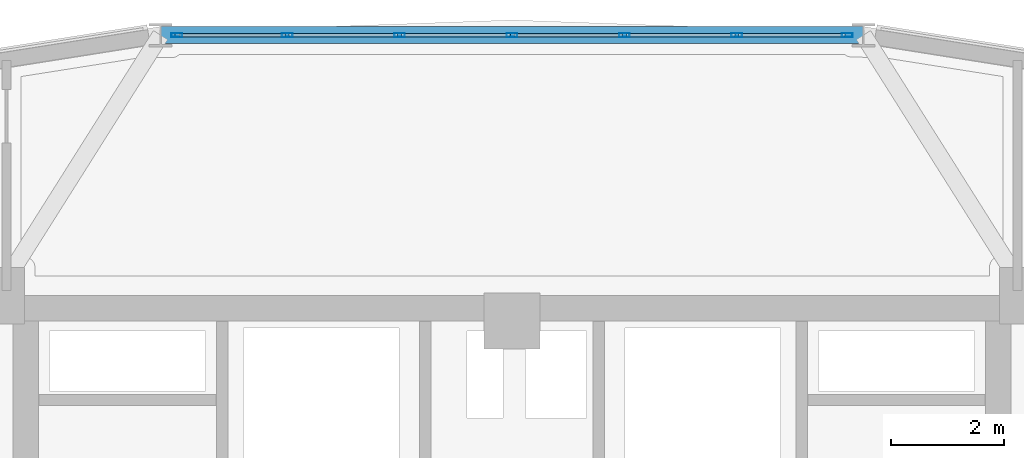
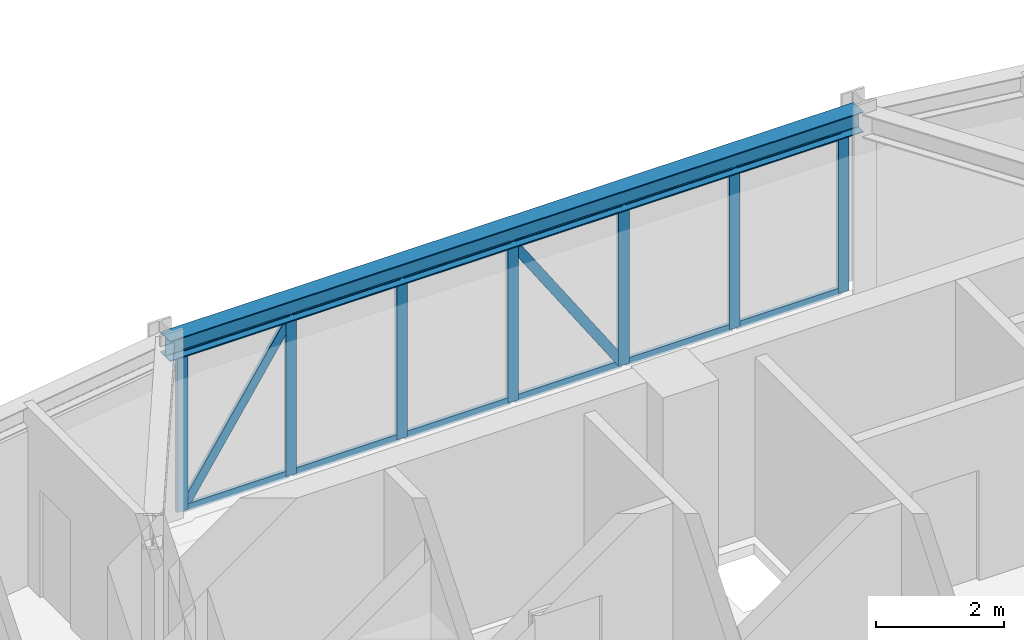
# One storey, part 8 of 14: 21 members, 1 beam, 1 element without a shape of its own.
"""IFC4 building model written with IfcOpenShell, lengths in metres."""

import ifcopenshell
import ifcopenshell.guid

model = None  # the IFC model being written
_history = None  # IfcOwnerHistory: only IFC2X3 demands one
_inside = {}  # id of a spatial element -> (the spatial element, [elements in it])
_under = {}  # id of a project, library or spatial element -> (it, [spatial elements below it])
_declared = {}  # id of a project -> (the project, [libraries it declares])
_typed = {}  # id of a type object -> (the type object, [elements of that type])
_made_of = {}  # id of a material, layer set ... -> (it, [elements and type objects made of it])


def new_model(schema):
    """Start an empty IFC model of exactly this schema.

    Asked for "IFC4X3", IfcOpenShell would pick the latest addendum, in which some entities
    have other attributes; the version numbers below select the first issue.
    IFC2X3 requires an IfcOwnerHistory on every rooted entity: one is made here for all.
    """
    global model, _history
    if schema == "IFC4X3":
        model = ifcopenshell.file(schema_version=(4, 3, 0, 0))
    else:
        model = ifcopenshell.file(schema=schema)
    _inside.clear()
    _under.clear()
    _declared.clear()
    _typed.clear()
    _made_of.clear()
    _history = None
    if model.schema == "IFC2X3":
        org = make("IfcOrganization", Name="unknown")
        user = make(
            "IfcPersonAndOrganization",
            ThePerson=make("IfcPerson", FamilyName="unknown"),
            TheOrganization=org,
        )
        app = make(
            "IfcApplication",
            ApplicationDeveloper=org,
            Version="unknown",
            ApplicationFullName="unknown",
            ApplicationIdentifier="unknown",
        )
        _history = make(
            "IfcOwnerHistory",
            OwningUser=user,
            OwningApplication=app,
            ChangeAction="ADDED",
            CreationDate=0,
        )
    return model


def make(cls, **values):
    """One entity of the class cls with the attributes given. An attribute that is None is left unset."""
    return model.create_entity(
        cls, **{name: value for name, value in values.items() if value is not None}
    )


def rooted(cls, **values):
    """An entity with a GlobalId (a new one), such as an element, a storey or a relation."""
    return make(cls, GlobalId=ifcopenshell.guid.new(), OwnerHistory=_history, **values)


def si_unit(unit_type, name, prefix=None):
    """IfcSIUnit, for example si_unit("LENGTHUNIT", "METRE", prefix="MILLI")."""
    return make("IfcSIUnit", UnitType=unit_type, Prefix=prefix, Name=name)


def derived_unit(unit_type, elements):
    """IfcDerivedUnit: a product of units, each with its exponent."""
    return make(
        "IfcDerivedUnit",
        Elements=[
            make("IfcDerivedUnitElement", Unit=unit, Exponent=power)
            for unit, power in elements
        ],
        UnitType=unit_type,
    )


def assignment(units):
    """IfcUnitAssignment: the units of a project."""
    return None if units is None else make("IfcUnitAssignment", Units=units)


def point(xyz):
    """IfcCartesianPoint."""
    return None if xyz is None else make("IfcCartesianPoint", Coordinates=xyz)


def direction(xyz):
    """IfcDirection."""
    return None if xyz is None else make("IfcDirection", DirectionRatios=xyz)


def frame(location, z_axis=None, x_axis=None):
    """IfcAxis2Placement3D, a coordinate frame: its origin and axes. An axis left out is left unset."""
    return make(
        "IfcAxis2Placement3D",
        Location=point(location),
        Axis=direction(z_axis),
        RefDirection=direction(x_axis),
    )


def frame_2d(location, x_axis=None):
    """IfcAxis2Placement2D, a coordinate frame in the plane: its origin and x axis."""
    return make(
        "IfcAxis2Placement2D", Location=point(location), RefDirection=direction(x_axis)
    )


def origin():
    """The frame at (0, 0, 0) with its axes left unset."""
    return frame((0.0, 0.0, 0.0))


def origin_2d():
    """The frame at (0, 0) in the plane with its x axis left unset."""
    return frame_2d((0.0, 0.0))


def place(relative_to, where):
    """IfcLocalPlacement: puts the frame where relative to a parent placement (None: the world)."""
    return make(
        "IfcLocalPlacement", PlacementRelTo=relative_to, RelativePlacement=where
    )


def context(
    kind, dimensions, precision=None, world=None, true_north=None, identifier=None
):
    """IfcGeometricRepresentationContext, for example the 3D "Model" context."""
    return make(
        "IfcGeometricRepresentationContext",
        ContextIdentifier=identifier,
        ContextType=kind,
        CoordinateSpaceDimension=dimensions,
        Precision=precision,
        WorldCoordinateSystem=world,
        TrueNorth=true_north,
    )


def subcontext(parent, identifier, kind, view, scale=None):
    """IfcGeometricRepresentationSubContext, for example "Body" below "Model"."""
    return make(
        "IfcGeometricRepresentationSubContext",
        ContextIdentifier=identifier,
        ContextType=kind,
        ParentContext=parent,
        TargetScale=scale,
        TargetView=view,
    )


def project(units=None, contexts=None):
    """IfcProject with its units and contexts."""
    return rooted(
        "IfcProject",
        Name="project",
        RepresentationContexts=contexts,
        UnitsInContext=assignment(units),
    )


def spatial(cls, under=None, at=None, **own):
    """A site, building, storey or space (cls), placed at a placement, below another one or the project."""
    s = rooted(cls, ObjectPlacement=at, **own)
    if under is not None:
        _under.setdefault(under.id(), (under, []))[1].append(s)
    return s


def profile(cls, at=None, kind="AREA", **sizes):
    """A parametric profile (cls). Its sizes go by their IFC names, for example OverallWidth=200.0."""
    return make(cls, ProfileType=kind, Position=at, **sizes)


def hollow_rectangle(**sizes):
    """IfcRectangleHollowProfileDef."""
    return profile("IfcRectangleHollowProfileDef", **sizes)


def i_section(**sizes):
    """IfcIShapeProfileDef."""
    return profile("IfcIShapeProfileDef", **sizes)


def extrude(swept, where, along, depth):
    """IfcExtrudedAreaSolid: the profile swept, set in the frame where, extruded along a direction by depth."""
    return make(
        "IfcExtrudedAreaSolid",
        SweptArea=swept,
        Position=where,
        ExtrudedDirection=direction(along),
        Depth=depth,
    )


def shape(context_of_items, identifier, shape_type, items):
    """IfcShapeRepresentation: the items that make up one representation, for example the "Body"."""
    return make(
        "IfcShapeRepresentation",
        ContextOfItems=context_of_items,
        RepresentationIdentifier=identifier,
        RepresentationType=shape_type,
        Items=items,
    )


def source(mapping_origin, context_of_items, identifier, shape_type, items):
    """IfcRepresentationMap: a shape defined once, which mapped items show again and again."""
    return make(
        "IfcRepresentationMap",
        MappingOrigin=mapping_origin,
        MappedRepresentation=shape(context_of_items, identifier, shape_type, items),
    )


def transform(
    local_origin,
    x_axis=None,
    y_axis=None,
    z_axis=None,
    scale=None,
    scale2=None,
    scale3=None,
    uniform=True,
):
    """IfcCartesianTransformationOperator3D, or its non-uniform kind. x_axis, y_axis, z_axis: its Axis1, 2, 3."""
    if uniform:
        return make(
            "IfcCartesianTransformationOperator3D",
            Axis1=direction(x_axis),
            Axis2=direction(y_axis),
            LocalOrigin=point(local_origin),
            Scale=scale,
            Axis3=direction(z_axis),
        )
    return make(
        "IfcCartesianTransformationOperator3DnonUniform",
        Axis1=direction(x_axis),
        Axis2=direction(y_axis),
        LocalOrigin=point(local_origin),
        Scale=scale,
        Axis3=direction(z_axis),
        Scale2=scale2,
        Scale3=scale3,
    )


def mapped(mapping_source, mapping_target):
    """IfcMappedItem: shows the shape of a source again, moved by a transform."""
    return make(
        "IfcMappedItem", MappingSource=mapping_source, MappingTarget=mapping_target
    )


def material(Name=None, Category=None):
    """IfcMaterial."""
    return make("IfcMaterial", Name=Name, Category=Category)


def layer(
    of_material, thickness, ventilated=None, Name=None, Category=None, Priority=None
):
    """IfcMaterialLayer: one layer of a wall or slab, of a material (None: an air gap)."""
    return make(
        "IfcMaterialLayer",
        Material=of_material,
        LayerThickness=thickness,
        IsVentilated=ventilated,
        Name=Name,
        Category=Category,
        Priority=Priority,
    )


def layer_set(layers, Name=None):
    """IfcMaterialLayerSet."""
    return make("IfcMaterialLayerSet", MaterialLayers=layers, LayerSetName=Name)


def material_profile(
    of_material, cross_section, Name=None, Category=None, Priority=None
):
    """IfcMaterialProfile: a cross section and its material."""
    return make(
        "IfcMaterialProfile",
        Name=Name,
        Material=of_material,
        Profile=cross_section,
        Priority=Priority,
        Category=Category,
    )


def profile_set(profiles, Name=None, composite=None):
    """IfcMaterialProfileSet."""
    return make(
        "IfcMaterialProfileSet",
        Name=Name,
        MaterialProfiles=profiles,
        CompositeProfile=composite,
    )


def made_of(thing, what):
    """Note that an element or type object is made of a material, layer set ...; save() writes the relation."""
    if what is not None:
        _made_of.setdefault(what.id(), (what, []))[1].append(thing)
    return thing


def type_object(cls, material=None, **own):
    """A type object (cls), such as IfcWallType, which elements share."""
    return made_of(rooted(cls, **own), material)


def element(
    cls,
    number,
    at=None,
    inside=None,
    cuts=None,
    type_object=None,
    material=None,
    context=None,
    identifier="Body",
    shape_type=None,
    held_by="IfcProductDefinitionShape",
    body=None,
    shapes=None,
    **own,
):
    """One element of the class cls, such as IfcWall. Its Tag is "e" and its number.

    at: its placement. inside: the storey or other place that contains it. cuts: it is an
    opening in that element (IfcRelVoidsElement). A single representation is given by context,
    identifier, shape_type and body (its items); several are given by shapes. held_by: the class
    of the entity that holds the representations. save() writes the other relations.
    """
    e = rooted(cls, Tag="e%d" % number, ObjectPlacement=at, **own)
    if body is not None:
        shapes = [shape(context, identifier, shape_type, body)]
    if shapes is not None:
        e.Representation = make(held_by, Representations=shapes)
    if inside is not None:
        _inside.setdefault(inside.id(), (inside, []))[1].append(e)
    if cuts is not None:
        rooted(
            "IfcRelVoidsElement", RelatingBuildingElement=cuts, RelatedOpeningElement=e
        )
    if type_object is not None:
        _typed.setdefault(type_object.id(), (type_object, []))[1].append(e)
    return made_of(e, material)


def aggregate(whole, parts):
    """IfcRelAggregates: a whole, such as a stair, and the parts it consists of."""
    return rooted("IfcRelAggregates", RelatingObject=whole, RelatedObjects=parts)


def save(model, path):
    """Write the relations noted so far, then the file.

    IfcRelAggregates (storeys below a building ...), IfcRelContainedInSpatialStructure (elements
    in a storey), IfcRelDefinesByType, IfcRelAssociatesMaterial and IfcRelDeclares: one each for
    every whole, place, type object, material and project.
    """
    for whole, parts in _under.values():
        aggregate(whole, parts)
    for where, things in _inside.values():
        rooted(
            "IfcRelContainedInSpatialStructure",
            RelatedElements=things,
            RelatingStructure=where,
        )
    for kind, things in _typed.values():
        rooted("IfcRelDefinesByType", RelatedObjects=things, RelatingType=kind)
    for what, things in _made_of.values():
        rooted("IfcRelAssociatesMaterial", RelatedObjects=things, RelatingMaterial=what)
    for by, libraries in _declared.values():
        rooted("IfcRelDeclares", RelatingContext=by, RelatedDefinitions=libraries)
    model.write(path)


model = new_model("IFC4")

# Units and contexts
model_context = context("Model", 3, precision=1e-05, world=origin(), true_north=direction((0.0, 1.0)))
body_context = subcontext(model_context, "Body", "Model", "MODEL_VIEW")
ifc_project = project(units=[si_unit("LENGTHUNIT", "METRE"), si_unit("AREAUNIT", "SQUARE_METRE"), si_unit("VOLUMEUNIT", "CUBIC_METRE"), si_unit("PLANEANGLEUNIT", "RADIAN"), si_unit("MASSUNIT", "GRAM", prefix="KILO"), derived_unit("THERMALTRANSMITTANCEUNIT", [(si_unit("POWERUNIT", "WATT"), 1), (si_unit("LENGTHUNIT", "METRE"), -2), (si_unit("THERMODYNAMICTEMPERATUREUNIT", "KELVIN"), -1)])], contexts=[model_context])

# Site, building, storey
site_placement = place(None, origin())
site = spatial("IfcSite", under=ifc_project, at=site_placement, CompositionType="ELEMENT")
building_placement = place(site_placement, origin())
building = spatial("IfcBuilding", under=site, at=building_placement, Name="Korsvarv Bourse and Concert Hall", CompositionType="ELEMENT")
storey_placement = place(building_placement, frame((0.0, 0.0, 190.199951171875)))
storey = spatial("IfcBuildingStorey", under=building, at=storey_placement, Name="L49", CompositionType="ELEMENT", Elevation=190.199951171875)

# Beam
ifc_material_1 = material(Name="Steel S355", Category="steel")
ifc_material_profile_1 = material_profile(ifc_material_1, i_section(OverallWidth=0.300048828125, OverallDepth=0.389892578125, WebThickness=0.010986328125, FlangeThickness=0.01904296875, FilletRadius=0.02099609375, at=origin_2d()), Name="HEA 400")
ifc_profile_set_1 = profile_set([ifc_material_profile_1], Name="Steel S355")
beam_type = type_object("IfcBeamType", Name="BM-HEA400", PredefinedType="BEAM", material=ifc_profile_set_1)
shared_shape_1 = source(origin(), body_context, "Body", "SweptSolid", [
    extrude(i_section(OverallWidth=0.300048828125, OverallDepth=0.389892578125, WebThickness=0.010986328125, FlangeThickness=0.01904296875, FilletRadius=0.02099609375, at=origin_2d()), origin(), (0.0, 0.0, 1.0), 12.46630859375),
])
beam_placement = place(storey_placement, frame((42.233154296875, 51.871826171875, 3.205078125), z_axis=(-1.0, 0.0, 0.0), x_axis=(0.0, -1.0, 0.0)))
element("IfcBeam", 1, at=beam_placement, inside=storey, type_object=beam_type, Name="L49 beam B-11", PredefinedType="BEAM", context=body_context, shape_type="MappedRepresentation", body=[
    mapped(shared_shape_1, transform((0.0, 0.0, 0.0), scale=1.0)),
])

# Curtain wall, members
ifc_material_2 = material(Name="Anodised aluminium and triple low-E glazing", Category="glass")
ifc_layer = layer(ifc_material_2, 0.199951171875)
ifc_layer_set = layer_set([ifc_layer], Name="Anodised aluminium and triple low-E glazing")
curtain_wall_type = type_object("IfcCurtainWallType", Name="CW-SYS-3", PredefinedType="NOTDEFINED", material=ifc_layer_set)
curtain_wall_placement = place(storey_placement, origin())
curtain_wall = element("IfcCurtainWall", 2, at=curtain_wall_placement, inside=storey, type_object=curtain_wall_type, Name="L49 CW3 curtain wall CW-L49-F03", PredefinedType="NOTDEFINED")
ifc_material_3 = material(Name="Extruded aluminium EN AW-6063 T66", Category="aluminium")
ifc_material_profile_2 = material_profile(ifc_material_3, hollow_rectangle(XDim=0.06494140625, YDim=0.139892578125, WallThickness=0.00390625, at=origin_2d()), Name="ALU-T 65x140")
ifc_profile_set_2 = profile_set([ifc_material_profile_2], Name="Extruded aluminium EN AW-6063 T66")
member_type_1 = type_object("IfcMemberType", Name="CWT-140", PredefinedType="USERDEFINED", material=ifc_profile_set_2)
shared_shape_2 = source(origin(), body_context, "Body", "SweptSolid", [
    extrude(hollow_rectangle(XDim=0.06494140625, YDim=0.139892578125, WallThickness=0.00390625, at=origin_2d()), origin(), (0.0, 0.0, 1.0), 1.92333984375),
])
member_1_placement = place(storey_placement, frame((39.95166015625, 51.871826171875, 0.032470703125), z_axis=(-1.0, 0.0, 0.0), x_axis=(0.0, -1.0, 0.0)))
member_1 = element("IfcMember", 3, at=member_1_placement, type_object=member_type_1, Name="CW3 transom 2.1", ObjectType="TRANSOM", PredefinedType="USERDEFINED", context=body_context, shape_type="MappedRepresentation", body=[
    mapped(shared_shape_2, transform((0.0, 0.0, 0.0), scale=1.0)),
])
member_2_placement = place(storey_placement, frame((39.95166015625, 51.871826171875, 2.9775390625), z_axis=(-1.0, 0.0, 0.0), x_axis=(0.0, -1.0, 0.0)))
member_2 = element("IfcMember", 4, at=member_2_placement, type_object=member_type_1, Name="CW3 transom 2.2", ObjectType="TRANSOM", PredefinedType="USERDEFINED", context=body_context, shape_type="MappedRepresentation", body=[
    mapped(shared_shape_2, transform((0.0, 0.0, 0.0), scale=1.0)),
])
member_3_placement = place(storey_placement, frame((37.958251953125, 51.871826171875, 0.032470703125), z_axis=(-1.0, 0.0, 0.0), x_axis=(0.0, -1.0, 0.0)))
member_3 = element("IfcMember", 5, at=member_3_placement, type_object=member_type_1, Name="CW3 transom 3.1", ObjectType="TRANSOM", PredefinedType="USERDEFINED", context=body_context, shape_type="MappedRepresentation", body=[
    mapped(shared_shape_2, transform((0.0, 0.0, 0.0), scale=1.0)),
])
member_4_placement = place(storey_placement, frame((37.958251953125, 51.871826171875, 2.9775390625), z_axis=(-1.0, 0.0, 0.0), x_axis=(0.0, -1.0, 0.0)))
member_4 = element("IfcMember", 6, at=member_4_placement, type_object=member_type_1, Name="CW3 transom 3.2", ObjectType="TRANSOM", PredefinedType="USERDEFINED", context=body_context, shape_type="MappedRepresentation", body=[
    mapped(shared_shape_2, transform((0.0, 0.0, 0.0), scale=1.0)),
])
member_5_placement = place(storey_placement, frame((35.965087890625, 51.871826171875, 0.032470703125), z_axis=(-1.0, 0.0, 0.0), x_axis=(0.0, -1.0, 0.0)))
member_5 = element("IfcMember", 7, at=member_5_placement, type_object=member_type_1, Name="CW3 transom 4.1", ObjectType="TRANSOM", PredefinedType="USERDEFINED", context=body_context, shape_type="MappedRepresentation", body=[
    mapped(shared_shape_2, transform((0.0, 0.0, 0.0), scale=1.0)),
])
member_6_placement = place(storey_placement, frame((35.965087890625, 51.871826171875, 2.9775390625), z_axis=(-1.0, 0.0, 0.0), x_axis=(0.0, -1.0, 0.0)))
member_6 = element("IfcMember", 8, at=member_6_placement, type_object=member_type_1, Name="CW3 transom 4.2", ObjectType="TRANSOM", PredefinedType="USERDEFINED", context=body_context, shape_type="MappedRepresentation", body=[
    mapped(shared_shape_2, transform((0.0, 0.0, 0.0), scale=1.0)),
])
member_7_placement = place(storey_placement, frame((33.9716796875, 51.871826171875, 0.032470703125), z_axis=(-1.0, 0.0, 0.0), x_axis=(0.0, -1.0, 0.0)))
member_7 = element("IfcMember", 9, at=member_7_placement, type_object=member_type_1, Name="CW3 transom 5.1", ObjectType="TRANSOM", PredefinedType="USERDEFINED", context=body_context, shape_type="MappedRepresentation", body=[
    mapped(shared_shape_2, transform((0.0, 0.0, 0.0), scale=1.0)),
])
member_8_placement = place(storey_placement, frame((33.9716796875, 51.871826171875, 2.9775390625), z_axis=(-1.0, 0.0, 0.0), x_axis=(0.0, -1.0, 0.0)))
member_8 = element("IfcMember", 10, at=member_8_placement, type_object=member_type_1, Name="CW3 transom 5.2", ObjectType="TRANSOM", PredefinedType="USERDEFINED", context=body_context, shape_type="MappedRepresentation", body=[
    mapped(shared_shape_2, transform((0.0, 0.0, 0.0), scale=1.0)),
])
ifc_material_profile_3 = material_profile(ifc_material_3, hollow_rectangle(XDim=0.070068359375, YDim=0.18994140625, WallThickness=0.0048828125, at=origin_2d()), Name="ALU-M 70x190")
ifc_profile_set_3 = profile_set([ifc_material_profile_3], Name="Extruded aluminium EN AW-6063 T66")
member_type_2 = type_object("IfcMemberType", Name="CWM-190", PredefinedType="MULLION", material=ifc_profile_set_3)
shared_shape_3 = source(origin(), body_context, "Body", "SweptSolid", [
    extrude(hollow_rectangle(XDim=0.070068359375, YDim=0.18994140625, WallThickness=0.0048828125, at=origin_2d()), origin(), (0.0, 0.0, 1.0), 3.010009765625),
])
member_9_placement = place(storey_placement, frame((41.945068359375, 51.871826171875, 0.0), z_axis=(0.0, 0.0, 1.0), x_axis=(0.0, -1.0, 0.0)))
member_9 = element("IfcMember", 11, at=member_9_placement, type_object=member_type_2, Name="CW3 mullion 1", PredefinedType="MULLION", context=body_context, shape_type="MappedRepresentation", body=[
    mapped(shared_shape_3, transform((0.0, 0.0, 0.0), scale=1.0)),
])
member_10_placement = place(storey_placement, frame((39.98681640625, 51.871826171875, 0.0), z_axis=(0.0, 0.0, 1.0), x_axis=(0.0, -1.0, 0.0)))
member_10 = element("IfcMember", 12, at=member_10_placement, type_object=member_type_2, Name="CW3 mullion 2", PredefinedType="MULLION", context=body_context, shape_type="MappedRepresentation", body=[
    mapped(shared_shape_3, transform((0.0, 0.0, 0.0), scale=1.0)),
])
member_11_placement = place(storey_placement, frame((37.993408203125, 51.871826171875, 0.0), z_axis=(0.0, 0.0, 1.0), x_axis=(0.0, -1.0, 0.0)))
member_11 = element("IfcMember", 13, at=member_11_placement, type_object=member_type_2, Name="CW3 mullion 3", PredefinedType="MULLION", context=body_context, shape_type="MappedRepresentation", body=[
    mapped(shared_shape_3, transform((0.0, 0.0, 0.0), scale=1.0)),
])
member_12_placement = place(storey_placement, frame((36.0, 51.871826171875, 0.0), z_axis=(0.0, 0.0, 1.0), x_axis=(0.0, -1.0, 0.0)))
member_12 = element("IfcMember", 14, at=member_12_placement, type_object=member_type_2, Name="CW3 mullion 4", PredefinedType="MULLION", context=body_context, shape_type="MappedRepresentation", body=[
    mapped(shared_shape_3, transform((0.0, 0.0, 0.0), scale=1.0)),
])
member_13_placement = place(storey_placement, frame((34.006591796875, 51.871826171875, 0.0), z_axis=(0.0, 0.0, 1.0), x_axis=(0.0, -1.0, 0.0)))
member_13 = element("IfcMember", 15, at=member_13_placement, type_object=member_type_2, Name="CW3 mullion 5", PredefinedType="MULLION", context=body_context, shape_type="MappedRepresentation", body=[
    mapped(shared_shape_3, transform((0.0, 0.0, 0.0), scale=1.0)),
])
member_14_placement = place(storey_placement, frame((32.01318359375, 51.871826171875, 0.0), z_axis=(0.0, 0.0, 1.0), x_axis=(0.0, -1.0, 0.0)))
member_14 = element("IfcMember", 16, at=member_14_placement, type_object=member_type_2, Name="CW3 mullion 6", PredefinedType="MULLION", context=body_context, shape_type="MappedRepresentation", body=[
    mapped(shared_shape_3, transform((0.0, 0.0, 0.0), scale=1.0)),
])
member_15_placement = place(storey_placement, frame((30.054931640625, 51.871826171875, 0.0), z_axis=(0.0, 0.0, 1.0), x_axis=(0.0, -1.0, 0.0)))
member_15 = element("IfcMember", 17, at=member_15_placement, type_object=member_type_2, Name="CW3 mullion 7", PredefinedType="MULLION", context=body_context, shape_type="MappedRepresentation", body=[
    mapped(shared_shape_3, transform((0.0, 0.0, 0.0), scale=1.0)),
])
shared_shape_4 = source(origin(), body_context, "Body", "SweptSolid", [
    extrude(hollow_rectangle(XDim=0.06494140625, YDim=0.139892578125, WallThickness=0.00390625, at=origin_2d()), origin(), (0.0, 0.0, 1.0), 1.888427734375),
])
member_16_placement = place(storey_placement, frame((41.91015625, 51.871826171875, 0.032470703125), z_axis=(-1.0, 0.0, 0.0), x_axis=(0.0, -1.0, 0.0)))
member_16 = element("IfcMember", 18, at=member_16_placement, type_object=member_type_1, Name="CW3 transom 1.1", ObjectType="TRANSOM", PredefinedType="USERDEFINED", context=body_context, shape_type="MappedRepresentation", body=[
    mapped(shared_shape_4, transform((0.0, 0.0, 0.0), scale=1.0)),
])
member_17_placement = place(storey_placement, frame((41.91015625, 51.871826171875, 2.9775390625), z_axis=(-1.0, 0.0, 0.0), x_axis=(0.0, -1.0, 0.0)))
member_17 = element("IfcMember", 19, at=member_17_placement, type_object=member_type_1, Name="CW3 transom 1.2", ObjectType="TRANSOM", PredefinedType="USERDEFINED", context=body_context, shape_type="MappedRepresentation", body=[
    mapped(shared_shape_4, transform((0.0, 0.0, 0.0), scale=1.0)),
])
member_18_placement = place(storey_placement, frame((31.978271484375, 51.871826171875, 0.032470703125), z_axis=(-1.0, 0.0, 0.0), x_axis=(0.0, -1.0, 0.0)))
member_18 = element("IfcMember", 20, at=member_18_placement, type_object=member_type_1, Name="CW3 transom 6.1", ObjectType="TRANSOM", PredefinedType="USERDEFINED", context=body_context, shape_type="MappedRepresentation", body=[
    mapped(shared_shape_4, transform((0.0, 0.0, 0.0), scale=1.0)),
])
member_19_placement = place(storey_placement, frame((31.978271484375, 51.871826171875, 2.9775390625), z_axis=(-1.0, 0.0, 0.0), x_axis=(0.0, -1.0, 0.0)))
member_19 = element("IfcMember", 21, at=member_19_placement, type_object=member_type_1, Name="CW3 transom 6.2", ObjectType="TRANSOM", PredefinedType="USERDEFINED", context=body_context, shape_type="MappedRepresentation", body=[
    mapped(shared_shape_4, transform((0.0, 0.0, 0.0), scale=1.0)),
])
ifc_material_profile_4 = material_profile(ifc_material_3, hollow_rectangle(XDim=0.06494140625, YDim=0.1650390625, WallThickness=0.0048828125, at=origin_2d()), Name="ALU-M 65x165")
ifc_profile_set_4 = profile_set([ifc_material_profile_4], Name="Extruded aluminium EN AW-6063 T66")
member_type_3 = type_object("IfcMemberType", Name="CWM-165", PredefinedType="MULLION", material=ifc_profile_set_4)
shared_shape_5 = source(origin(), body_context, "Body", "SweptSolid", [
    extrude(hollow_rectangle(XDim=0.06494140625, YDim=0.1650390625, WallThickness=0.0048828125, at=origin_2d()), origin(), (0.0, 0.0, 1.0), 3.46337890625),
])
member_20_placement = place(storey_placement, frame((37.958251953125, 51.871826171875, 0.06494140625), z_axis=(-0.555350739276, 0.0, 0.831616231435), x_axis=(0.0, -1.0, 0.0)))
member_20 = element("IfcMember", 22, at=member_20_placement, type_object=member_type_3, Name="CW3 diagonal mullion 3", PredefinedType="MULLION", context=body_context, shape_type="MappedRepresentation", body=[
    mapped(shared_shape_5, transform((0.0, 0.0, 0.0), scale=1.0)),
])
shared_shape_6 = source(origin(), body_context, "Body", "SweptSolid", [
    extrude(hollow_rectangle(XDim=0.06494140625, YDim=0.1650390625, WallThickness=0.0048828125, at=origin_2d()), origin(), (0.0, 0.0, 1.0), 3.444091796875),
])
member_21_placement = place(storey_placement, frame((30.08984375, 51.871826171875, 0.06494140625), z_axis=(0.548320391847, 0.0, 0.836268346815), x_axis=(0.0, 1.0, 0.0)))
member_21 = element("IfcMember", 23, at=member_21_placement, type_object=member_type_3, Name="CW3 diagonal mullion 6", PredefinedType="MULLION", context=body_context, shape_type="MappedRepresentation", body=[
    mapped(shared_shape_6, transform((0.0, 0.0, 0.0), scale=1.0)),
])
aggregate(curtain_wall, [member_9, member_10, member_11, member_12, member_13, member_14, member_15, member_16, member_17, member_1, member_2, member_3, member_4, member_20, member_5, member_6, member_7, member_8, member_18, member_19, member_21])

save(model, "model.ifc")
